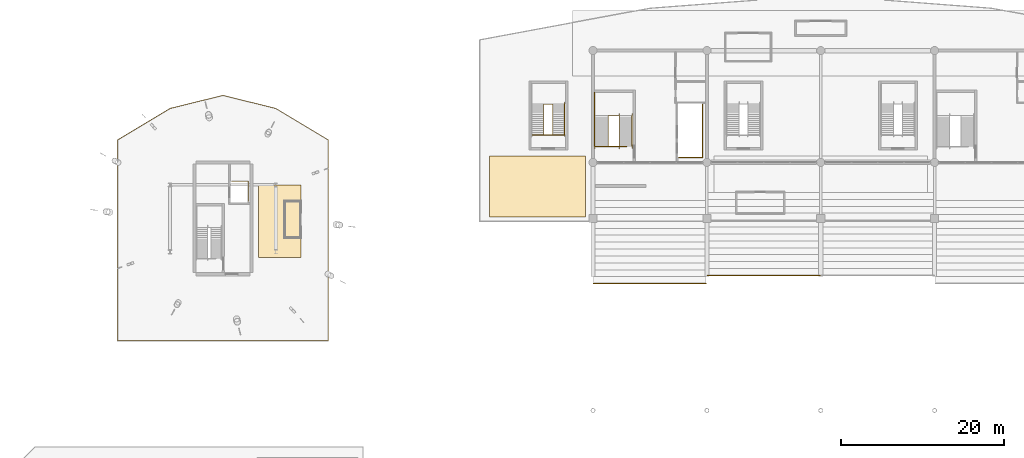
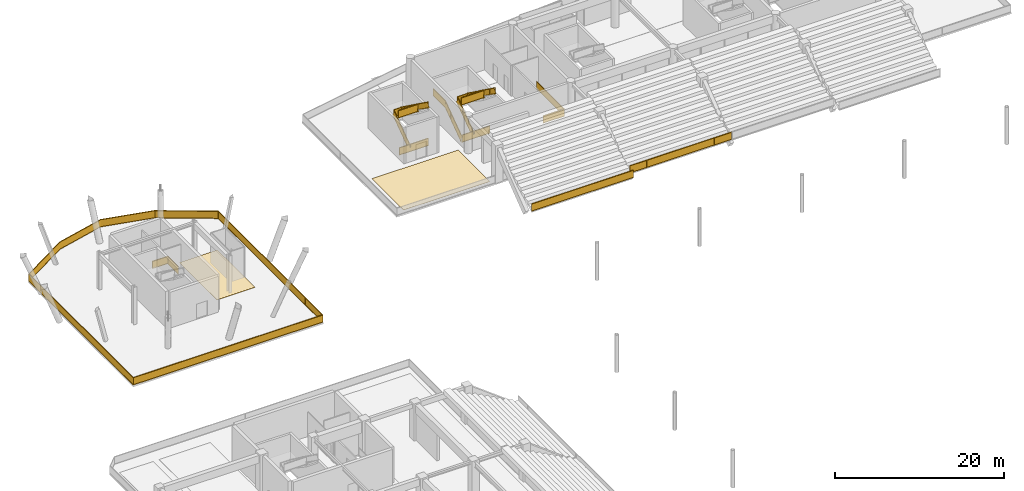
# One storey, part 114 of 117: 12 railings, 2 coverings.
"""IFC4 building model written with IfcOpenShell, lengths in metres."""

from ifc_helpers import new_model, si_unit, direction, frame, origin, origin_2d, place, context, subcontext, project, spatial, polyline, rectangle, outline, extrude, material, layer, layer_set, type_object, element, save


model = new_model("IFC4")

# Units and contexts
model_context = context("Model", 3, precision=1e-05, world=origin(), true_north=direction((0.0, 1.0)))
body_context = subcontext(model_context, "Body", "Model", "MODEL_VIEW")
ifc_project = project(units=[si_unit("LENGTHUNIT", "METRE"), si_unit("AREAUNIT", "SQUARE_METRE"), si_unit("VOLUMEUNIT", "CUBIC_METRE"), si_unit("PLANEANGLEUNIT", "RADIAN"), si_unit("MASSUNIT", "GRAM", prefix="KILO")], contexts=[model_context])

# Site, building, storey
site_placement = place(None, origin())
site = spatial("IfcSite", under=ifc_project, at=site_placement, CompositionType="ELEMENT")
building_placement = place(site_placement, origin())
building = spatial("IfcBuilding", under=site, at=building_placement, Name="Linyun Crest Stadium", CompositionType="ELEMENT")
storey_placement = place(building_placement, frame((0.0, 0.0, 6.0)))
storey = spatial("IfcBuildingStorey", under=building, at=storey_placement, Name="L02", CompositionType="ELEMENT", Elevation=6.0)

# Coverings
ifc_material_1 = material(Name="Terrazzo concourse and hospitality floor finish")
ifc_layer = layer(ifc_material_1, 0.02197265625)
ifc_layer_set = layer_set([ifc_layer], Name="Terrazzo concourse and hospitality floor finish")
covering_type = type_object("IfcCoveringType", Name="FLR02", PredefinedType="FLOORING", material=ifc_layer_set)
covering_1_placement = place(storey_placement, origin())
element("IfcCovering", 1, at=covering_1_placement, inside=storey, type_object=covering_type, Name="Terrazzo flooring FLR02 24", PredefinedType="FLOORING", context=body_context, shape_type="SweptSolid", body=[
    extrude(outline(polyline([(-40.699951171875, 84.800048828125), (-28.89990234375, 84.800048828125), (-28.89990234375, 92.300048828125), (-40.699951171875, 92.300048828125), (-40.699951171875, 84.800048828125)])), origin(), (0.0, 0.0, 1.0), 0.02197265625),
])
covering_2_placement = place(storey_placement, origin())
element("IfcCovering", 2, at=covering_2_placement, inside=storey, type_object=covering_type, Name="Terrazzo flooring FLR02 70", PredefinedType="FLOORING", context=body_context, shape_type="SweptSolid", body=[
    extrude(outline(polyline([(-69.10009765625, 79.800048828125), (-63.89990234375, 79.800048828125), (-63.89990234375, 88.699951171875), (-69.10009765625, 88.699951171875), (-69.10009765625, 79.800048828125)])), origin(), (0.0, 0.0, 1.0), 0.02197265625),
])

# Railings
ifc_material_2 = material(Name="Galvanized and powder-coated steel bowl safety barrier", Category="steel")
railing_type_1 = type_object("IfcRailingType", Name="GR02", PredefinedType="GUARDRAIL", material=ifc_material_2)
for number, where, name in (
    (3, (-27.919921875, 76.60009765625, 0.35009765625), "Bowl front safety guard GR02 58"),
    (4, (-13.919921875, 77.60009765625, 0.35009765625), "Bowl front safety guard GR02 65"),
):
    element("IfcRailing", number, at=place(storey_placement, frame(where)), inside=storey, type_object=railing_type_1, Name=name, PredefinedType="GUARDRAIL", context=body_context, shape_type="SweptSolid", body=[
        extrude(rectangle(XDim=0.06005859375, YDim=0.06005859375, at=origin_2d()), frame((0.0, 0.0, 1.090087890625), z_axis=(1.0, 0.0, 0.0), x_axis=(0.0, 1.0, 0.0)), (0.0, 0.0, 1.0), 13.83984375),
        extrude(rectangle(XDim=0.030029296875, YDim=1.0, at=origin_2d()), frame((0.0, 0.0, 0.56005859375), z_axis=(1.0, 0.0, 0.0), x_axis=(0.0, 1.0, 0.0)), (0.0, 0.0, 1.0), 13.83984375),
        extrude(rectangle(XDim=0.06005859375, YDim=0.06005859375, at=origin_2d()), frame((0.0, 0.0, 0.030029296875), z_axis=(1.0, 0.0, 0.0), x_axis=(0.0, 1.0, 0.0)), (0.0, 0.0, 1.0), 13.83984375),
        extrude(rectangle(XDim=0.050048828125, YDim=0.050048828125, at=origin_2d()), origin(), (0.0, 0.0, 1.0), 1.1201171875),
        extrude(rectangle(XDim=0.050048828125, YDim=0.050048828125, at=origin_2d()), frame((2.306640625, 0.0, 0.0)), (0.0, 0.0, 1.0), 1.1201171875),
        extrude(rectangle(XDim=0.050048828125, YDim=0.050048828125, at=origin_2d()), frame((4.61328125, 0.0, 0.0)), (0.0, 0.0, 1.0), 1.1201171875),
        extrude(rectangle(XDim=0.050048828125, YDim=0.050048828125, at=origin_2d()), frame((6.919921875, 0.0, 0.0)), (0.0, 0.0, 1.0), 1.1201171875),
        extrude(rectangle(XDim=0.050048828125, YDim=0.050048828125, at=origin_2d()), frame((9.2265625, 0.0, 0.0)), (0.0, 0.0, 1.0), 1.1201171875),
        extrude(rectangle(XDim=0.050048828125, YDim=0.050048828125, at=origin_2d()), frame((11.533203125, 0.0, 0.0)), (0.0, 0.0, 1.0), 1.1201171875),
        extrude(rectangle(XDim=0.050048828125, YDim=0.050048828125, at=origin_2d()), frame((13.83984375, 0.0, 0.0)), (0.0, 0.0, 1.0), 1.1201171875),
    ])
railing_1_placement = place(storey_placement, frame((-17.419921875, 92.090087890625, 0.0)))
element("IfcRailing", 5, at=railing_1_placement, inside=storey, type_object=railing_type_1, Name="Slab edge balustrade GR02 202", PredefinedType="GUARDRAIL", context=body_context, shape_type="SweptSolid", body=[
    extrude(rectangle(XDim=0.06005859375, YDim=0.06005859375, at=origin_2d()), frame((0.0, 0.0, 1.090087890625), z_axis=(1.0, 0.0, 0.0), x_axis=(0.0, 1.0, 0.0)), (0.0, 0.0, 1.0), 2.8798828125),
    extrude(rectangle(XDim=0.030029296875, YDim=1.0, at=origin_2d()), frame((0.0, 0.0, 0.56005859375), z_axis=(1.0, 0.0, 0.0), x_axis=(0.0, 1.0, 0.0)), (0.0, 0.0, 1.0), 2.8798828125),
    extrude(rectangle(XDim=0.06005859375, YDim=0.06005859375, at=origin_2d()), frame((0.0, 0.0, 0.030029296875), z_axis=(1.0, 0.0, 0.0), x_axis=(0.0, 1.0, 0.0)), (0.0, 0.0, 1.0), 2.8798828125),
    extrude(rectangle(XDim=0.06005859375, YDim=0.06005859375, at=origin_2d()), frame((2.8798828125, 0.0, 1.090087890625), z_axis=(0.0, 1.0, 0.0), x_axis=(-1.0, 0.0, 0.0)), (0.0, 0.0, 1.0), 6.5498046875),
    extrude(rectangle(XDim=0.030029296875, YDim=1.0, at=origin_2d()), frame((2.8798828125, 0.0, 0.56005859375), z_axis=(0.0, 1.0, 0.0), x_axis=(-1.0, 0.0, 0.0)), (0.0, 0.0, 1.0), 6.5498046875),
    extrude(rectangle(XDim=0.06005859375, YDim=0.06005859375, at=origin_2d()), frame((2.8798828125, 0.0, 0.030029296875), z_axis=(0.0, 1.0, 0.0), x_axis=(-1.0, 0.0, 0.0)), (0.0, 0.0, 1.0), 6.5498046875),
    extrude(rectangle(XDim=0.050048828125, YDim=0.050048828125, at=origin_2d()), origin(), (0.0, 0.0, 1.0), 1.1201171875),
    extrude(rectangle(XDim=0.050048828125, YDim=0.050048828125, at=origin_2d()), frame((2.8798828125, 0.0, 0.0)), (0.0, 0.0, 1.0), 1.1201171875),
    extrude(rectangle(XDim=0.050048828125, YDim=0.050048828125, at=origin_2d()), frame((2.8798828125, 3.27490234375, 0.0)), (0.0, 0.0, 1.0), 1.1201171875),
    extrude(rectangle(XDim=0.050048828125, YDim=0.050048828125, at=origin_2d()), frame((2.8798828125, 6.5498046875, 0.0)), (0.0, 0.0, 1.0), 1.1201171875),
])
railing_2_placement = place(storey_placement, frame((-27.68505859375, 93.4599609375, 0.0)))
element("IfcRailing", 6, at=railing_2_placement, inside=storey, type_object=railing_type_1, Name="Slab edge balustrade GR02 203", PredefinedType="GUARDRAIL", context=body_context, shape_type="SweptSolid", body=[
    extrude(rectangle(XDim=0.06005859375, YDim=0.06005859375, at=origin_2d()), frame((0.0, 0.0, 1.090087890625), z_axis=(1.0, 0.0, 0.0), x_axis=(0.0, 1.0, 0.0)), (0.0, 0.0, 1.0), 3.78515625),
    extrude(rectangle(XDim=0.030029296875, YDim=1.0, at=origin_2d()), frame((0.0, 0.0, 0.56005859375), z_axis=(1.0, 0.0, 0.0), x_axis=(0.0, 1.0, 0.0)), (0.0, 0.0, 1.0), 3.78515625),
    extrude(rectangle(XDim=0.06005859375, YDim=0.06005859375, at=origin_2d()), frame((0.0, 0.0, 0.030029296875), z_axis=(1.0, 0.0, 0.0), x_axis=(0.0, 1.0, 0.0)), (0.0, 0.0, 1.0), 3.78515625),
    extrude(rectangle(XDim=0.050048828125, YDim=0.050048828125, at=origin_2d()), origin(), (0.0, 0.0, 1.0), 1.1201171875),
    extrude(rectangle(XDim=0.050048828125, YDim=0.050048828125, at=origin_2d()), frame((3.78515625, 0.0, 0.0)), (0.0, 0.0, 1.0), 1.1201171875),
])
railing_3_placement = place(storey_placement, frame((-35.4599609375, 94.889892578125, 0.0)))
element("IfcRailing", 7, at=railing_3_placement, inside=storey, type_object=railing_type_1, Name="Slab edge balustrade GR02 204", PredefinedType="GUARDRAIL", context=body_context, shape_type="SweptSolid", body=[
    extrude(rectangle(XDim=0.06005859375, YDim=0.06005859375, at=origin_2d()), frame((0.0, 0.0, 1.090087890625), z_axis=(1.0, 0.0, 0.0), x_axis=(0.0, 1.0, 0.0)), (0.0, 0.0, 1.0), 3.919921875),
    extrude(rectangle(XDim=0.030029296875, YDim=1.0, at=origin_2d()), frame((0.0, 0.0, 0.56005859375), z_axis=(1.0, 0.0, 0.0), x_axis=(0.0, 1.0, 0.0)), (0.0, 0.0, 1.0), 3.919921875),
    extrude(rectangle(XDim=0.06005859375, YDim=0.06005859375, at=origin_2d()), frame((0.0, 0.0, 0.030029296875), z_axis=(1.0, 0.0, 0.0), x_axis=(0.0, 1.0, 0.0)), (0.0, 0.0, 1.0), 3.919921875),
    extrude(rectangle(XDim=0.050048828125, YDim=0.050048828125, at=origin_2d()), origin(), (0.0, 0.0, 1.0), 1.1201171875),
    extrude(rectangle(XDim=0.050048828125, YDim=0.050048828125, at=origin_2d()), frame((3.919921875, 0.0, 0.0)), (0.0, 0.0, 1.0), 1.1201171875),
])
railing_4_placement = place(storey_placement, frame((-86.43994140625, 69.56005859375, 0.0)))
element("IfcRailing", 8, at=railing_4_placement, inside=storey, type_object=railing_type_1, Name="Slab edge balustrade GR02 280", PredefinedType="GUARDRAIL", context=body_context, shape_type="SweptSolid", body=[
    extrude(rectangle(XDim=0.06005859375, YDim=0.06005859375, at=origin_2d()), frame((0.0, 0.0, 1.090087890625), z_axis=(0.0, 1.0, 0.0), x_axis=(-1.0, 0.0, 0.0)), (0.0, 0.0, 1.0), 24.7060546875),
    extrude(rectangle(XDim=0.030029296875, YDim=1.0, at=origin_2d()), frame((0.0, 0.0, 0.56005859375), z_axis=(0.0, 1.0, 0.0), x_axis=(-1.0, 0.0, 0.0)), (0.0, 0.0, 1.0), 24.7060546875),
    extrude(rectangle(XDim=0.06005859375, YDim=0.06005859375, at=origin_2d()), frame((0.0, 0.0, 0.030029296875), z_axis=(0.0, 1.0, 0.0), x_axis=(-1.0, 0.0, 0.0)), (0.0, 0.0, 1.0), 24.7060546875),
    extrude(rectangle(XDim=0.06005859375, YDim=0.06005859375, at=origin_2d()), frame((0.0, 24.7060546875, 1.090087890625), z_axis=(0.857481493024, 0.514514809429, 0.0), x_axis=(-0.514514809429, 0.857481493024, 0.0)), (0.0, 0.0, 1.0), 7.537109375),
    extrude(rectangle(XDim=0.030029296875, YDim=1.0, at=origin_2d()), frame((0.0, 24.7060546875, 0.56005859375), z_axis=(0.857481493024, 0.514514809429, 0.0), x_axis=(-0.514514809429, 0.857481493024, 0.0)), (0.0, 0.0, 1.0), 7.537109375),
    extrude(rectangle(XDim=0.06005859375, YDim=0.06005859375, at=origin_2d()), frame((0.0, 24.7060546875, 0.030029296875), z_axis=(0.857481493024, 0.514514809429, 0.0), x_axis=(-0.514514809429, 0.857481493024, 0.0)), (0.0, 0.0, 1.0), 7.537109375),
    extrude(rectangle(XDim=0.06005859375, YDim=0.06005859375, at=origin_2d()), frame((6.462890625, 28.583984375, 1.090087890625), z_axis=(0.971027293085, 0.238968608992, 0.0), x_axis=(-0.238968608992, 0.971027293085, 0.0)), (0.0, 0.0, 1.0), 6.67041015625),
    extrude(rectangle(XDim=0.030029296875, YDim=1.0, at=origin_2d()), frame((6.462890625, 28.583984375, 0.56005859375), z_axis=(0.971027293085, 0.238968608992, 0.0), x_axis=(-0.238968608992, 0.971027293085, 0.0)), (0.0, 0.0, 1.0), 6.67041015625),
    extrude(rectangle(XDim=0.06005859375, YDim=0.06005859375, at=origin_2d()), frame((6.462890625, 28.583984375, 0.030029296875), z_axis=(0.971027293085, 0.238968608992, 0.0), x_axis=(-0.238968608992, 0.971027293085, 0.0)), (0.0, 0.0, 1.0), 6.67041015625),
    extrude(rectangle(XDim=0.06005859375, YDim=0.06005859375, at=origin_2d()), frame((12.93994140625, 30.177978515625, 1.090087890625), z_axis=(0.971027293085, -0.238968608992, 0.0), x_axis=(0.238968608992, 0.971027293085, 0.0)), (0.0, 0.0, 1.0), 6.67041015625),
    extrude(rectangle(XDim=0.030029296875, YDim=1.0, at=origin_2d()), frame((12.93994140625, 30.177978515625, 0.56005859375), z_axis=(0.971027293085, -0.238968608992, 0.0), x_axis=(0.238968608992, 0.971027293085, 0.0)), (0.0, 0.0, 1.0), 6.67041015625),
    extrude(rectangle(XDim=0.06005859375, YDim=0.06005859375, at=origin_2d()), frame((12.93994140625, 30.177978515625, 0.030029296875), z_axis=(0.971027293085, -0.238968608992, 0.0), x_axis=(0.238968608992, 0.971027293085, 0.0)), (0.0, 0.0, 1.0), 6.67041015625),
    extrude(rectangle(XDim=0.06005859375, YDim=0.06005859375, at=origin_2d()), frame((19.4169921875, 28.583984375, 1.090087890625), z_axis=(0.857481493024, -0.514514809429, 0.0), x_axis=(0.514514809429, 0.857481493024, 0.0)), (0.0, 0.0, 1.0), 7.537109375),
    extrude(rectangle(XDim=0.030029296875, YDim=1.0, at=origin_2d()), frame((19.4169921875, 28.583984375, 0.56005859375), z_axis=(0.857481493024, -0.514514809429, 0.0), x_axis=(0.514514809429, 0.857481493024, 0.0)), (0.0, 0.0, 1.0), 7.537109375),
    extrude(rectangle(XDim=0.06005859375, YDim=0.06005859375, at=origin_2d()), frame((19.4169921875, 28.583984375, 0.030029296875), z_axis=(0.857481493024, -0.514514809429, 0.0), x_axis=(0.514514809429, 0.857481493024, 0.0)), (0.0, 0.0, 1.0), 7.537109375),
    extrude(rectangle(XDim=0.06005859375, YDim=0.06005859375, at=origin_2d()), frame((25.8798828125, 24.7060546875, 1.090087890625), z_axis=(0.0, -1.0, 0.0), x_axis=(1.0, 0.0, 0.0)), (0.0, 0.0, 1.0), 24.7060546875),
    extrude(rectangle(XDim=0.030029296875, YDim=1.0, at=origin_2d()), frame((25.8798828125, 24.7060546875, 0.56005859375), z_axis=(0.0, -1.0, 0.0), x_axis=(1.0, 0.0, 0.0)), (0.0, 0.0, 1.0), 24.7060546875),
    extrude(rectangle(XDim=0.06005859375, YDim=0.06005859375, at=origin_2d()), frame((25.8798828125, 24.7060546875, 0.030029296875), z_axis=(0.0, -1.0, 0.0), x_axis=(1.0, 0.0, 0.0)), (0.0, 0.0, 1.0), 24.7060546875),
    extrude(rectangle(XDim=0.06005859375, YDim=0.06005859375, at=origin_2d()), frame((25.8798828125, 0.0, 1.090087890625), z_axis=(-1.0, 0.0, 0.0), x_axis=(0.0, -1.0, 0.0)), (0.0, 0.0, 1.0), 25.8798828125),
    extrude(rectangle(XDim=0.030029296875, YDim=1.0, at=origin_2d()), frame((25.8798828125, 0.0, 0.56005859375), z_axis=(-1.0, 0.0, 0.0), x_axis=(0.0, -1.0, 0.0)), (0.0, 0.0, 1.0), 25.8798828125),
    extrude(rectangle(XDim=0.06005859375, YDim=0.06005859375, at=origin_2d()), frame((25.8798828125, 0.0, 0.030029296875), z_axis=(-1.0, 0.0, 0.0), x_axis=(0.0, -1.0, 0.0)), (0.0, 0.0, 1.0), 25.8798828125),
    extrude(rectangle(XDim=0.050048828125, YDim=0.050048828125, at=origin_2d()), origin(), (0.0, 0.0, 1.0), 1.1201171875),
    extrude(rectangle(XDim=0.050048828125, YDim=0.050048828125, at=origin_2d()), frame((0.0, 4.11767578125, 0.0)), (0.0, 0.0, 1.0), 1.1201171875),
    extrude(rectangle(XDim=0.050048828125, YDim=0.050048828125, at=origin_2d()), frame((0.0, 8.2353515625, 0.0)), (0.0, 0.0, 1.0), 1.1201171875),
    extrude(rectangle(XDim=0.050048828125, YDim=0.050048828125, at=origin_2d()), frame((0.0, 12.35302734375, 0.0)), (0.0, 0.0, 1.0), 1.1201171875),
    extrude(rectangle(XDim=0.050048828125, YDim=0.050048828125, at=origin_2d()), frame((0.0, 16.470703125, 0.0)), (0.0, 0.0, 1.0), 1.1201171875),
    extrude(rectangle(XDim=0.050048828125, YDim=0.050048828125, at=origin_2d()), frame((0.0, 20.58837890625, 0.0)), (0.0, 0.0, 1.0), 1.1201171875),
    extrude(rectangle(XDim=0.050048828125, YDim=0.050048828125, at=origin_2d()), frame((0.0, 24.7060546875, 0.0)), (0.0, 0.0, 1.0), 1.1201171875),
    extrude(rectangle(XDim=0.050048828125, YDim=0.050048828125, at=origin_2d()), frame((3.2314453125, 26.64501953125, 0.0)), (0.0, 0.0, 1.0), 1.1201171875),
    extrude(rectangle(XDim=0.050048828125, YDim=0.050048828125, at=origin_2d()), frame((6.462890625, 28.583984375, 0.0)), (0.0, 0.0, 1.0), 1.1201171875),
    extrude(rectangle(XDim=0.050048828125, YDim=0.050048828125, at=origin_2d()), frame((9.701416015625, 29.380859375, 0.0)), (0.0, 0.0, 1.0), 1.1201171875),
    extrude(rectangle(XDim=0.050048828125, YDim=0.050048828125, at=origin_2d()), frame((12.93994140625, 30.177978515625, 0.0)), (0.0, 0.0, 1.0), 1.1201171875),
    extrude(rectangle(XDim=0.050048828125, YDim=0.050048828125, at=origin_2d()), frame((16.178466796875, 29.380859375, 0.0)), (0.0, 0.0, 1.0), 1.1201171875),
    extrude(rectangle(XDim=0.050048828125, YDim=0.050048828125, at=origin_2d()), frame((19.4169921875, 28.583984375, 0.0)), (0.0, 0.0, 1.0), 1.1201171875),
    extrude(rectangle(XDim=0.050048828125, YDim=0.050048828125, at=origin_2d()), frame((22.6484375, 26.64501953125, 0.0)), (0.0, 0.0, 1.0), 1.1201171875),
    extrude(rectangle(XDim=0.050048828125, YDim=0.050048828125, at=origin_2d()), frame((25.8798828125, 24.7060546875, 0.0)), (0.0, 0.0, 1.0), 1.1201171875),
    extrude(rectangle(XDim=0.050048828125, YDim=0.050048828125, at=origin_2d()), frame((25.8798828125, 20.58837890625, 0.0)), (0.0, 0.0, 1.0), 1.1201171875),
    extrude(rectangle(XDim=0.050048828125, YDim=0.050048828125, at=origin_2d()), frame((25.8798828125, 16.470703125, 0.0)), (0.0, 0.0, 1.0), 1.1201171875),
    extrude(rectangle(XDim=0.050048828125, YDim=0.050048828125, at=origin_2d()), frame((25.8798828125, 12.35302734375, 0.0)), (0.0, 0.0, 1.0), 1.1201171875),
    extrude(rectangle(XDim=0.050048828125, YDim=0.050048828125, at=origin_2d()), frame((25.8798828125, 8.2353515625, 0.0)), (0.0, 0.0, 1.0), 1.1201171875),
    extrude(rectangle(XDim=0.050048828125, YDim=0.050048828125, at=origin_2d()), frame((25.8798828125, 4.11767578125, 0.0)), (0.0, 0.0, 1.0), 1.1201171875),
    extrude(rectangle(XDim=0.050048828125, YDim=0.050048828125, at=origin_2d()), frame((25.8798828125, 0.0, 0.0)), (0.0, 0.0, 1.0), 1.1201171875),
    extrude(rectangle(XDim=0.050048828125, YDim=0.050048828125, at=origin_2d()), frame((21.566650390625, 0.0, 0.0)), (0.0, 0.0, 1.0), 1.1201171875),
    extrude(rectangle(XDim=0.050048828125, YDim=0.050048828125, at=origin_2d()), frame((17.253173828125, 0.0, 0.0)), (0.0, 0.0, 1.0), 1.1201171875),
    extrude(rectangle(XDim=0.050048828125, YDim=0.050048828125, at=origin_2d()), frame((12.93994140625, 0.0, 0.0)), (0.0, 0.0, 1.0), 1.1201171875),
    extrude(rectangle(XDim=0.050048828125, YDim=0.050048828125, at=origin_2d()), frame((8.626708984375, 0.0, 0.0)), (0.0, 0.0, 1.0), 1.1201171875),
    extrude(rectangle(XDim=0.050048828125, YDim=0.050048828125, at=origin_2d()), frame((4.313232421875, 0.0, 0.0)), (0.0, 0.0, 1.0), 1.1201171875),
])
railing_5_placement = place(storey_placement, frame((-70.389892578125, 86.68994140625, 0.0)))
element("IfcRailing", 9, at=railing_5_placement, inside=storey, type_object=railing_type_1, Name="Slab edge balustrade GR02 281", PredefinedType="GUARDRAIL", context=body_context, shape_type="SweptSolid", body=[
    extrude(rectangle(XDim=0.06005859375, YDim=0.06005859375, at=origin_2d()), frame((0.0, 0.0, 1.090087890625), z_axis=(0.0, 1.0, 0.0), x_axis=(-1.0, 0.0, 0.0)), (0.0, 0.0, 1.0), 2.52001953125),
    extrude(rectangle(XDim=0.030029296875, YDim=1.0, at=origin_2d()), frame((0.0, 0.0, 0.56005859375), z_axis=(0.0, 1.0, 0.0), x_axis=(-1.0, 0.0, 0.0)), (0.0, 0.0, 1.0), 2.52001953125),
    extrude(rectangle(XDim=0.06005859375, YDim=0.06005859375, at=origin_2d()), frame((0.0, 0.0, 0.030029296875), z_axis=(0.0, 1.0, 0.0), x_axis=(-1.0, 0.0, 0.0)), (0.0, 0.0, 1.0), 2.52001953125),
    extrude(rectangle(XDim=0.06005859375, YDim=0.06005859375, at=origin_2d()), frame((0.0, 2.52001953125, 1.090087890625), z_axis=(-1.0, 0.0, 0.0), x_axis=(0.0, -1.0, 0.0)), (0.0, 0.0, 1.0), 2.080078125),
    extrude(rectangle(XDim=0.030029296875, YDim=1.0, at=origin_2d()), frame((0.0, 2.52001953125, 0.56005859375), z_axis=(-1.0, 0.0, 0.0), x_axis=(0.0, -1.0, 0.0)), (0.0, 0.0, 1.0), 2.080078125),
    extrude(rectangle(XDim=0.06005859375, YDim=0.06005859375, at=origin_2d()), frame((0.0, 2.52001953125, 0.030029296875), z_axis=(-1.0, 0.0, 0.0), x_axis=(0.0, -1.0, 0.0)), (0.0, 0.0, 1.0), 2.080078125),
    extrude(rectangle(XDim=0.050048828125, YDim=0.050048828125, at=origin_2d()), origin(), (0.0, 0.0, 1.0), 1.1201171875),
    extrude(rectangle(XDim=0.050048828125, YDim=0.050048828125, at=origin_2d()), frame((0.0, 2.52001953125, 0.0)), (0.0, 0.0, 1.0), 1.1201171875),
    extrude(rectangle(XDim=0.050048828125, YDim=0.050048828125, at=origin_2d()), frame((-2.080078125, 2.52001953125, 0.0)), (0.0, 0.0, 1.0), 1.1201171875),
])
ifc_material_3 = material(Name="Painted steel stairwell safety guard", Category="steel")
railing_type_2 = type_object("IfcRailingType", Name="GR03", PredefinedType="GUARDRAIL", material=ifc_material_3)
railing_6_placement = place(storey_placement, frame((-27.794921875, 93.489990234375, 0.0)))
element("IfcRailing", 10, at=railing_6_placement, inside=storey, type_object=railing_type_2, Name="STR-07-L02 outer guard", PredefinedType="GUARDRAIL", context=body_context, shape_type="SweptSolid", body=[
    extrude(rectangle(XDim=0.06005859375, YDim=0.06005859375, at=origin_2d()), frame((0.0, 0.0, 1.090087890625), z_axis=(0.0, 0.811539352079, 0.584297766578), x_axis=(-1.0, 0.0, 0.0)), (0.0, 0.0, 1.0), 4.620849609375),
    extrude(rectangle(XDim=0.030029296875, YDim=1.0, at=origin_2d()), frame((0.0, 0.0, 0.56005859375), z_axis=(0.0, 0.811539352079, 0.584297766578), x_axis=(-1.0, 0.0, 0.0)), (0.0, 0.0, 1.0), 4.620849609375),
    extrude(rectangle(XDim=0.06005859375, YDim=0.06005859375, at=origin_2d()), frame((0.0, 0.0, 0.030029296875), z_axis=(0.0, 0.811539352079, 0.584297766578), x_axis=(-1.0, 0.0, 0.0)), (0.0, 0.0, 1.0), 4.620849609375),
    extrude(rectangle(XDim=0.06005859375, YDim=0.06005859375, at=origin_2d()), frame((0.0, 3.75, 3.7900390625), z_axis=(0.0, 1.0, 0.0), x_axis=(-1.0, 0.0, 0.0)), (0.0, 0.0, 1.0), 2.830078125),
    extrude(rectangle(XDim=0.030029296875, YDim=1.0, at=origin_2d()), frame((0.0, 3.75, 3.260009765625), z_axis=(0.0, 1.0, 0.0), x_axis=(-1.0, 0.0, 0.0)), (0.0, 0.0, 1.0), 2.830078125),
    extrude(rectangle(XDim=0.06005859375, YDim=0.06005859375, at=origin_2d()), frame((0.0, 3.75, 2.72998046875), z_axis=(0.0, 1.0, 0.0), x_axis=(-1.0, 0.0, 0.0)), (0.0, 0.0, 1.0), 2.830078125),
    extrude(rectangle(XDim=0.050048828125, YDim=0.050048828125, at=origin_2d()), origin(), (0.0, 0.0, 1.0), 1.1201171875),
    extrude(rectangle(XDim=0.050048828125, YDim=0.050048828125, at=origin_2d()), frame((0.0, 1.25, 0.89990234375)), (0.0, 0.0, 1.0), 1.1201171875),
    extrude(rectangle(XDim=0.050048828125, YDim=0.050048828125, at=origin_2d()), frame((0.0, 2.5, 1.800048828125)), (0.0, 0.0, 1.0), 1.1201171875),
    extrude(rectangle(XDim=0.050048828125, YDim=0.050048828125, at=origin_2d()), frame((0.0, 3.75, 2.699951171875)), (0.0, 0.0, 1.0), 1.1201171875),
    extrude(rectangle(XDim=0.050048828125, YDim=0.050048828125, at=origin_2d()), frame((0.0, 5.1650390625, 2.699951171875)), (0.0, 0.0, 1.0), 1.1201171875),
    extrude(rectangle(XDim=0.050048828125, YDim=0.050048828125, at=origin_2d()), frame((0.0, 6.580078125, 2.699951171875)), (0.0, 0.0, 1.0), 1.1201171875),
])
railing_7_placement = place(storey_placement, frame((-26.155029296875, 93.469970703125, 0.0)))
element("IfcRailing", 11, at=railing_7_placement, inside=storey, type_object=railing_type_2, Name="STR-07-L02 inner well guard", PredefinedType="GUARDRAIL", context=body_context, shape_type="SweptSolid", body=[
    extrude(rectangle(XDim=0.06005859375, YDim=0.06005859375, at=origin_2d()), frame((0.0, 0.0, 1.090087890625), z_axis=(0.0, 0.813010693788, 0.582248754216), x_axis=(-1.0, 0.0, 0.0)), (0.0, 0.0, 1.0), 4.63720703125),
    extrude(rectangle(XDim=0.030029296875, YDim=1.0, at=origin_2d()), frame((0.0, 0.0, 0.56005859375), z_axis=(0.0, 0.813010693788, 0.582248754216), x_axis=(-1.0, 0.0, 0.0)), (0.0, 0.0, 1.0), 4.63720703125),
    extrude(rectangle(XDim=0.06005859375, YDim=0.06005859375, at=origin_2d()), frame((0.0, 0.0, 0.030029296875), z_axis=(0.0, 0.813010693788, 0.582248754216), x_axis=(-1.0, 0.0, 0.0)), (0.0, 0.0, 1.0), 4.63720703125),
    extrude(rectangle(XDim=0.06005859375, YDim=0.06005859375, at=origin_2d()), frame((0.0, 3.77001953125, 3.7900390625), z_axis=(1.0, 0.0, 0.0), x_axis=(0.0, 1.0, 0.0)), (0.0, 0.0, 1.0), 1.385009765625),
    extrude(rectangle(XDim=0.030029296875, YDim=1.0, at=origin_2d()), frame((0.0, 3.77001953125, 3.260009765625), z_axis=(1.0, 0.0, 0.0), x_axis=(0.0, 1.0, 0.0)), (0.0, 0.0, 1.0), 1.385009765625),
    extrude(rectangle(XDim=0.06005859375, YDim=0.06005859375, at=origin_2d()), frame((0.0, 3.77001953125, 2.72998046875), z_axis=(1.0, 0.0, 0.0), x_axis=(0.0, 1.0, 0.0)), (0.0, 0.0, 1.0), 1.385009765625),
    extrude(rectangle(XDim=0.06005859375, YDim=0.06005859375, at=origin_2d()), frame((1.385009765625, 3.77001953125, 3.7900390625), z_axis=(0.0, -0.813010693788, 0.582248754216), x_axis=(1.0, 0.0, 0.0)), (0.0, 0.0, 1.0), 4.63720703125),
    extrude(rectangle(XDim=0.030029296875, YDim=1.0, at=origin_2d()), frame((1.385009765625, 3.77001953125, 3.260009765625), z_axis=(0.0, -0.813010693788, 0.582248754216), x_axis=(1.0, 0.0, 0.0)), (0.0, 0.0, 1.0), 4.63720703125),
    extrude(rectangle(XDim=0.06005859375, YDim=0.06005859375, at=origin_2d()), frame((1.385009765625, 3.77001953125, 2.72998046875), z_axis=(0.0, -0.813010693788, 0.582248754216), x_axis=(1.0, 0.0, 0.0)), (0.0, 0.0, 1.0), 4.63720703125),
    extrude(rectangle(XDim=0.06005859375, YDim=0.06005859375, at=origin_2d()), frame((1.385009765625, 0.0, 6.489990234375), z_axis=(-1.0, 0.0, 0.0), x_axis=(0.0, -1.0, 0.0)), (0.0, 0.0, 1.0), 3.034912109375),
    extrude(rectangle(XDim=0.030029296875, YDim=1.0, at=origin_2d()), frame((1.385009765625, 0.0, 5.9599609375), z_axis=(-1.0, 0.0, 0.0), x_axis=(0.0, -1.0, 0.0)), (0.0, 0.0, 1.0), 3.034912109375),
    extrude(rectangle(XDim=0.06005859375, YDim=0.06005859375, at=origin_2d()), frame((1.385009765625, 0.0, 5.429931640625), z_axis=(-1.0, 0.0, 0.0), x_axis=(0.0, -1.0, 0.0)), (0.0, 0.0, 1.0), 3.034912109375),
    extrude(rectangle(XDim=0.050048828125, YDim=0.050048828125, at=origin_2d()), origin(), (0.0, 0.0, 1.0), 1.1201171875),
    extrude(rectangle(XDim=0.050048828125, YDim=0.050048828125, at=origin_2d()), frame((0.0, 1.256591796875, 0.89990234375)), (0.0, 0.0, 1.0), 1.1201171875),
    extrude(rectangle(XDim=0.050048828125, YDim=0.050048828125, at=origin_2d()), frame((0.0, 2.513427734375, 1.800048828125)), (0.0, 0.0, 1.0), 1.1201171875),
    extrude(rectangle(XDim=0.050048828125, YDim=0.050048828125, at=origin_2d()), frame((0.0, 3.77001953125, 2.699951171875)), (0.0, 0.0, 1.0), 1.1201171875),
    extrude(rectangle(XDim=0.050048828125, YDim=0.050048828125, at=origin_2d()), frame((1.385009765625, 3.77001953125, 2.699951171875)), (0.0, 0.0, 1.0), 1.1201171875),
    extrude(rectangle(XDim=0.050048828125, YDim=0.050048828125, at=origin_2d()), frame((1.385009765625, 2.513427734375, 3.599853515625)), (0.0, 0.0, 1.0), 1.1201171875),
    extrude(rectangle(XDim=0.050048828125, YDim=0.050048828125, at=origin_2d()), frame((1.385009765625, 1.256591796875, 4.5)), (0.0, 0.0, 1.0), 1.1201171875),
    extrude(rectangle(XDim=0.050048828125, YDim=0.050048828125, at=origin_2d()), frame((1.385009765625, 0.0, 5.39990234375)), (0.0, 0.0, 1.0), 1.1201171875),
    extrude(rectangle(XDim=0.050048828125, YDim=0.050048828125, at=origin_2d()), frame((-0.13232421875, 0.0, 5.39990234375)), (0.0, 0.0, 1.0), 1.1201171875),
    extrude(rectangle(XDim=0.050048828125, YDim=0.050048828125, at=origin_2d()), frame((-1.64990234375, 0.0, 5.39990234375)), (0.0, 0.0, 1.0), 1.1201171875),
])
railing_8_placement = place(storey_placement, frame((-34.030029296875, 94.89990234375, 0.0)))
element("IfcRailing", 12, at=railing_8_placement, inside=storey, type_object=railing_type_2, Name="STR-23-L02 inner well guard", PredefinedType="GUARDRAIL", context=body_context, shape_type="SweptSolid", body=[
    extrude(rectangle(XDim=0.06005859375, YDim=0.06005859375, at=origin_2d()), frame((0.0, 0.0, 1.090087890625), z_axis=(0.0, 0.813010693788, 0.582248754216), x_axis=(-1.0, 0.0, 0.0)), (0.0, 0.0, 1.0), 4.63720703125),
    extrude(rectangle(XDim=0.030029296875, YDim=1.0, at=origin_2d()), frame((0.0, 0.0, 0.56005859375), z_axis=(0.0, 0.813010693788, 0.582248754216), x_axis=(-1.0, 0.0, 0.0)), (0.0, 0.0, 1.0), 4.63720703125),
    extrude(rectangle(XDim=0.06005859375, YDim=0.06005859375, at=origin_2d()), frame((0.0, 0.0, 0.030029296875), z_axis=(0.0, 0.813010693788, 0.582248754216), x_axis=(-1.0, 0.0, 0.0)), (0.0, 0.0, 1.0), 4.63720703125),
    extrude(rectangle(XDim=0.06005859375, YDim=0.06005859375, at=origin_2d()), frame((0.0, 3.77001953125, 3.7900390625), z_axis=(1.0, 0.0, 0.0), x_axis=(0.0, 1.0, 0.0)), (0.0, 0.0, 1.0), 1.06005859375),
    extrude(rectangle(XDim=0.030029296875, YDim=1.0, at=origin_2d()), frame((0.0, 3.77001953125, 3.260009765625), z_axis=(1.0, 0.0, 0.0), x_axis=(0.0, 1.0, 0.0)), (0.0, 0.0, 1.0), 1.06005859375),
    extrude(rectangle(XDim=0.06005859375, YDim=0.06005859375, at=origin_2d()), frame((0.0, 3.77001953125, 2.72998046875), z_axis=(1.0, 0.0, 0.0), x_axis=(0.0, 1.0, 0.0)), (0.0, 0.0, 1.0), 1.06005859375),
    extrude(rectangle(XDim=0.06005859375, YDim=0.06005859375, at=origin_2d()), frame((1.06005859375, 3.77001953125, 3.7900390625), z_axis=(0.0, -0.813010693788, 0.582248754216), x_axis=(1.0, 0.0, 0.0)), (0.0, 0.0, 1.0), 4.63720703125),
    extrude(rectangle(XDim=0.030029296875, YDim=1.0, at=origin_2d()), frame((1.06005859375, 3.77001953125, 3.260009765625), z_axis=(0.0, -0.813010693788, 0.582248754216), x_axis=(1.0, 0.0, 0.0)), (0.0, 0.0, 1.0), 4.63720703125),
    extrude(rectangle(XDim=0.06005859375, YDim=0.06005859375, at=origin_2d()), frame((1.06005859375, 3.77001953125, 2.72998046875), z_axis=(0.0, -0.813010693788, 0.582248754216), x_axis=(1.0, 0.0, 0.0)), (0.0, 0.0, 1.0), 4.63720703125),
    extrude(rectangle(XDim=0.06005859375, YDim=0.06005859375, at=origin_2d()), frame((1.06005859375, 0.0, 6.489990234375), z_axis=(-1.0, 0.0, 0.0), x_axis=(0.0, -1.0, 0.0)), (0.0, 0.0, 1.0), 2.610107421875),
    extrude(rectangle(XDim=0.030029296875, YDim=1.0, at=origin_2d()), frame((1.06005859375, 0.0, 5.9599609375), z_axis=(-1.0, 0.0, 0.0), x_axis=(0.0, -1.0, 0.0)), (0.0, 0.0, 1.0), 2.610107421875),
    extrude(rectangle(XDim=0.06005859375, YDim=0.06005859375, at=origin_2d()), frame((1.06005859375, 0.0, 5.429931640625), z_axis=(-1.0, 0.0, 0.0), x_axis=(0.0, -1.0, 0.0)), (0.0, 0.0, 1.0), 2.610107421875),
    extrude(rectangle(XDim=0.050048828125, YDim=0.050048828125, at=origin_2d()), origin(), (0.0, 0.0, 1.0), 1.1201171875),
    extrude(rectangle(XDim=0.050048828125, YDim=0.050048828125, at=origin_2d()), frame((0.0, 1.256591796875, 0.89990234375)), (0.0, 0.0, 1.0), 1.1201171875),
    extrude(rectangle(XDim=0.050048828125, YDim=0.050048828125, at=origin_2d()), frame((0.0, 2.513427734375, 1.800048828125)), (0.0, 0.0, 1.0), 1.1201171875),
    extrude(rectangle(XDim=0.050048828125, YDim=0.050048828125, at=origin_2d()), frame((0.0, 3.77001953125, 2.699951171875)), (0.0, 0.0, 1.0), 1.1201171875),
    extrude(rectangle(XDim=0.050048828125, YDim=0.050048828125, at=origin_2d()), frame((1.06005859375, 3.77001953125, 2.699951171875)), (0.0, 0.0, 1.0), 1.1201171875),
    extrude(rectangle(XDim=0.050048828125, YDim=0.050048828125, at=origin_2d()), frame((1.06005859375, 2.513427734375, 3.599853515625)), (0.0, 0.0, 1.0), 1.1201171875),
    extrude(rectangle(XDim=0.050048828125, YDim=0.050048828125, at=origin_2d()), frame((1.06005859375, 1.256591796875, 4.5)), (0.0, 0.0, 1.0), 1.1201171875),
    extrude(rectangle(XDim=0.050048828125, YDim=0.050048828125, at=origin_2d()), frame((1.06005859375, 0.0, 5.39990234375)), (0.0, 0.0, 1.0), 1.1201171875),
    extrude(rectangle(XDim=0.050048828125, YDim=0.050048828125, at=origin_2d()), frame((-0.2451171875, 0.0, 5.39990234375)), (0.0, 0.0, 1.0), 1.1201171875),
    extrude(rectangle(XDim=0.050048828125, YDim=0.050048828125, at=origin_2d()), frame((-1.550048828125, 0.0, 5.39990234375)), (0.0, 0.0, 1.0), 1.1201171875),
])
ifc_material_4 = material(Name="Brushed stainless steel tubular handrail", Category="steel")
railing_type_3 = type_object("IfcRailingType", Name="HR01", PredefinedType="HANDRAIL", material=ifc_material_4)
for number, where, name in (
    (13, (-23.179931640625, 97.239990234375, 2.699951171875), "STR-07-L02 handrail"),
    (14, (-31.47998046875, 98.669921875, 2.699951171875), "STR-23-L02 handrail"),
):
    element("IfcRailing", number, at=place(storey_placement, frame(where)), inside=storey, type_object=railing_type_3, Name=name, PredefinedType="HANDRAIL", context=body_context, shape_type="SweptSolid", body=[
        extrude(rectangle(XDim=0.06005859375, YDim=0.06005859375, at=origin_2d()), frame((0.0, 0.0, 0.889892578125), z_axis=(0.0, -0.811539352079, 0.584297766578), x_axis=(1.0, 0.0, 0.0)), (0.0, 0.0, 1.0), 4.620849609375),
        extrude(rectangle(XDim=0.030029296875, YDim=0.7998046875, at=origin_2d()), frame((0.0, 0.0, 0.4599609375), z_axis=(0.0, -0.811539352079, 0.584297766578), x_axis=(1.0, 0.0, 0.0)), (0.0, 0.0, 1.0), 4.620849609375),
        extrude(rectangle(XDim=0.06005859375, YDim=0.06005859375, at=origin_2d()), frame((0.0, 0.0, 0.030029296875), z_axis=(0.0, -0.811539352079, 0.584297766578), x_axis=(1.0, 0.0, 0.0)), (0.0, 0.0, 1.0), 4.620849609375),
        extrude(rectangle(XDim=0.050048828125, YDim=0.050048828125, at=origin_2d()), origin(), (0.0, 0.0, 1.0), 0.919921875),
        extrude(rectangle(XDim=0.050048828125, YDim=0.050048828125, at=origin_2d()), frame((0.0, -1.25, 0.89990234375)), (0.0, 0.0, 1.0), 0.919921875),
        extrude(rectangle(XDim=0.050048828125, YDim=0.050048828125, at=origin_2d()), frame((0.0, -2.5, 1.800048828125)), (0.0, 0.0, 1.0), 0.919921875),
        extrude(rectangle(XDim=0.050048828125, YDim=0.050048828125, at=origin_2d()), frame((0.0, -3.75, 2.699951171875)), (0.0, 0.0, 1.0), 0.919921875),
    ])

save(model, "model.ifc")
